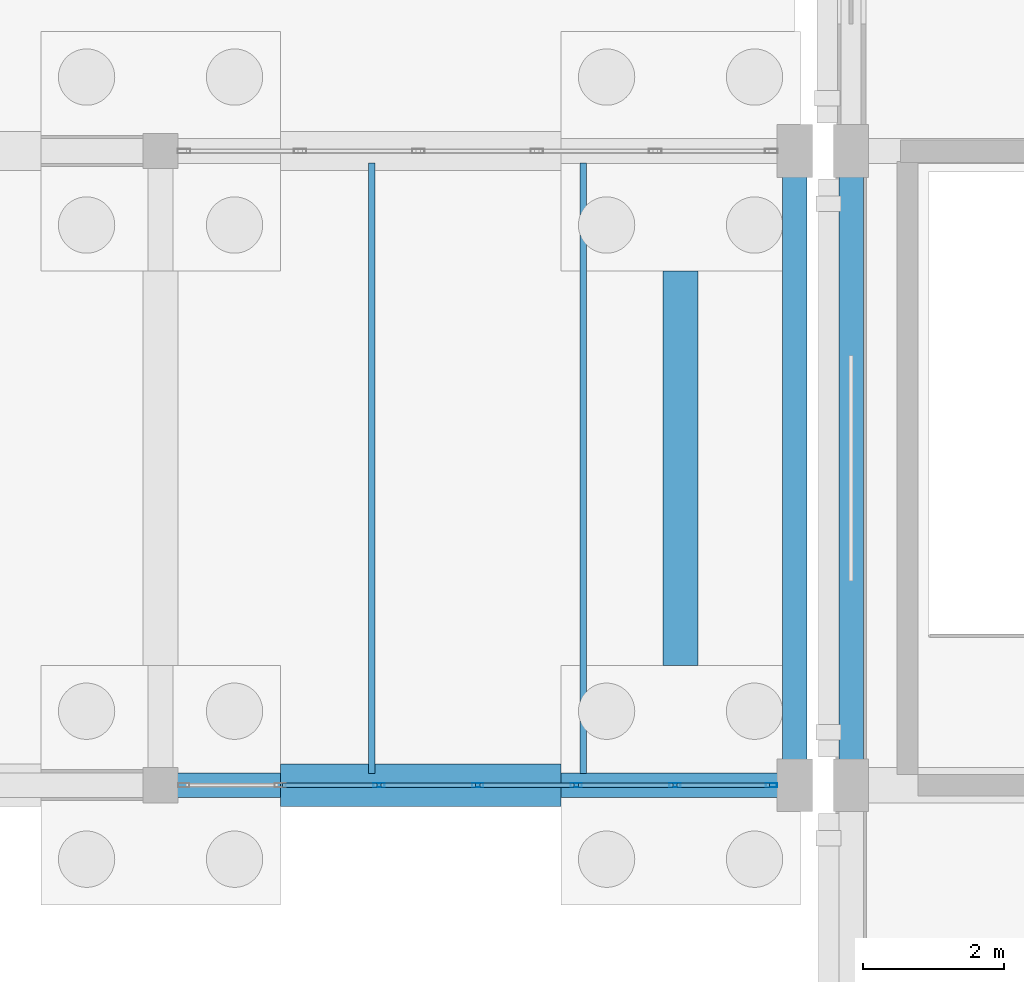
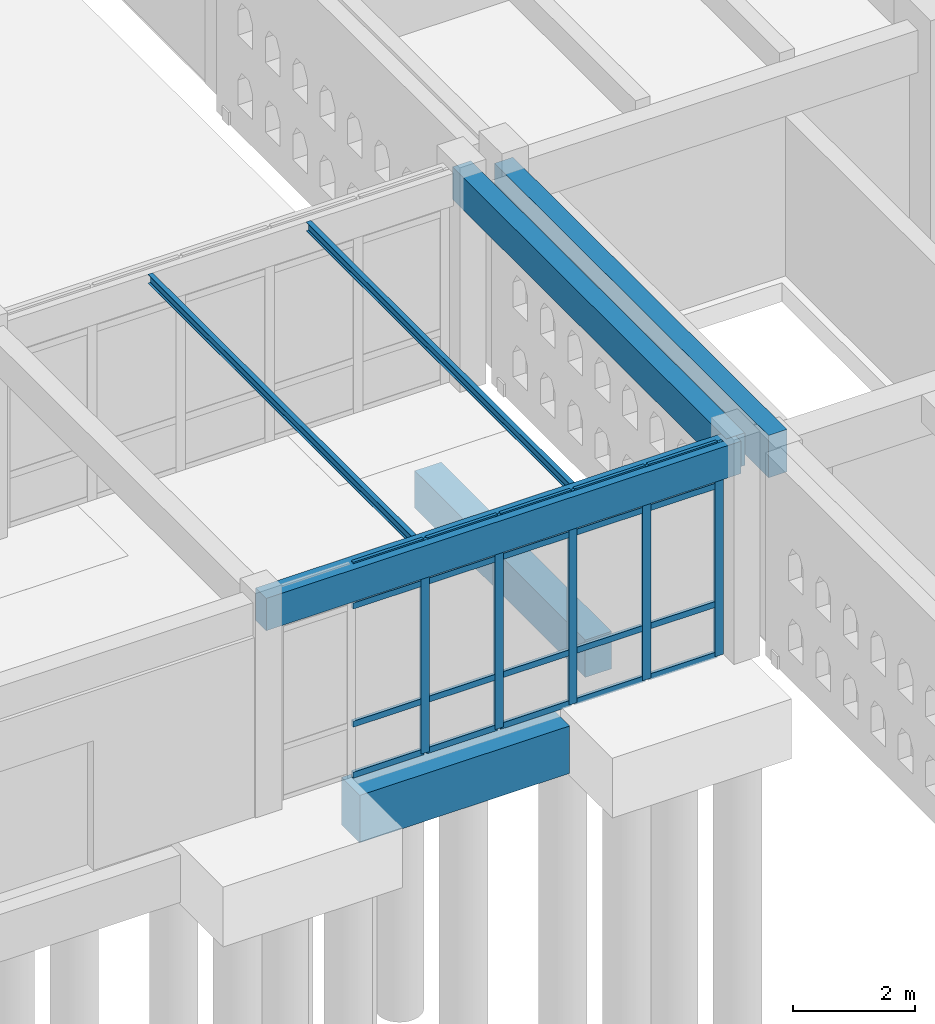
# One storey, part 33 of 186: 25 members, 7 beams, 1 element without a shape of its own.
"""IFC4 building model written with IfcOpenShell, lengths in metres."""

from ifc_helpers import new_model, si_unit, direction, frame, origin, origin_2d, place, context, subcontext, project, spatial, rectangle, hollow_rectangle, i_section, extrude, material, layer, layer_set, material_profile, profile_set, type_object, element, aggregate, save


model = new_model("IFC4")

# Units and contexts
model_context = context("Model", 3, precision=1e-05, world=origin(), true_north=direction((0.0, 1.0)))
body_context = subcontext(model_context, "Body", "Model", "MODEL_VIEW")
ifc_project = project(units=[si_unit("LENGTHUNIT", "METRE"), si_unit("AREAUNIT", "SQUARE_METRE"), si_unit("VOLUMEUNIT", "CUBIC_METRE"), si_unit("PLANEANGLEUNIT", "RADIAN"), si_unit("MASSUNIT", "GRAM", prefix="KILO")], contexts=[model_context])

# Site, building, storey
site_placement = place(None, origin())
site = spatial("IfcSite", under=ifc_project, at=site_placement, CompositionType="ELEMENT")
building_placement = place(site_placement, origin())
building = spatial("IfcBuilding", under=site, at=building_placement, Name="Ornek Quay Market", CompositionType="ELEMENT")
storey_placement = place(building_placement, origin())
storey = spatial("IfcBuildingStorey", under=building, at=storey_placement, Name="L00", CompositionType="ELEMENT", Elevation=0.0)

# Beams
ifc_material_1 = material(Name="Concrete C35/45", Category="concrete")
ifc_material_profile_1 = material_profile(ifc_material_1, rectangle(XDim=0.35009765625, YDim=0.64990234375, at=origin_2d()), Name="RC 350x650", Category="concrete")
ifc_profile_set_1 = profile_set([ifc_material_profile_1], Name="Concrete C35/45")
beam_type_1 = type_object("IfcBeamType", Name="BM-CONC-350x650", PredefinedType="BEAM", material=ifc_profile_set_1)
for number, where, z_axis, x_axis, name in (
    (1, (45.0, 20.0, 3.945068359375), (1.0, 0.0, 0.0), (0.0, 1.0, 0.0), "Primary beam B-CN1-066"),
    (2, (54.0, 20.0, 3.945068359375), (0.0, 1.0, 0.0), (-1.0, 0.0, 0.0), "Primary beam B-CN1-072"),
):
    element("IfcBeam", number, at=place(storey_placement, frame(where, z_axis=z_axis, x_axis=x_axis)), inside=storey, type_object=beam_type_1, Name=name, PredefinedType="BEAM", context=body_context, shape_type="SweptSolid", body=[
        extrude(rectangle(XDim=0.35009765625, YDim=0.64990234375, at=origin_2d()), origin(), (0.0, 0.0, 1.0), 9.0),
    ])
ifc_material_profile_2 = material_profile(ifc_material_1, rectangle(XDim=0.5, YDim=0.75, at=origin_2d()), Name="RC 500x750", Category="concrete")
ifc_profile_set_2 = profile_set([ifc_material_profile_2], Name="Concrete C35/45")
beam_type_2 = type_object("IfcBeamType", Name="BM-GB-500x750", PredefinedType="BEAM", material=ifc_profile_set_2)
beam_1_placement = place(storey_placement, frame((52.3798828125, 21.699951171875, -0.574951171875), z_axis=(0.0, 1.0, 0.0), x_axis=(-1.0, 0.0, 0.0)))
element("IfcBeam", 3, at=beam_1_placement, inside=storey, type_object=beam_type_2, Name="Ground tie beam GB-110", PredefinedType="BEAM", context=body_context, shape_type="SweptSolid", body=[
    extrude(rectangle(XDim=0.5, YDim=0.75, at=origin_2d()), origin(), (0.0, 0.0, 1.0), 5.60009765625),
])
ifc_material_profile_3 = material_profile(ifc_material_1, rectangle(XDim=0.60009765625, YDim=0.949951171875, at=origin_2d()), Name="RC 600x950", Category="concrete")
ifc_profile_set_3 = profile_set([ifc_material_profile_3], Name="Concrete C35/45")
beam_type_3 = type_object("IfcBeamType", Name="BM-GB-600x950", PredefinedType="BEAM", material=ifc_profile_set_3)
beam_2_placement = place(storey_placement, frame((46.699951171875, 20.0, -0.675048828125), z_axis=(1.0, 0.0, 0.0), x_axis=(0.0, 1.0, 0.0)))
element("IfcBeam", 4, at=beam_2_placement, inside=storey, type_object=beam_type_3, Name="Ground tie beam GB-004", PredefinedType="BEAM", context=body_context, shape_type="SweptSolid", body=[
    extrude(rectangle(XDim=0.60009765625, YDim=0.949951171875, at=origin_2d()), origin(), (0.0, 0.0, 1.0), 3.97998046875),
])
ifc_material_2 = material(Name="Concrete C40/50", Category="concrete")
ifc_material_profile_4 = material_profile(ifc_material_2, rectangle(XDim=0.35009765625, YDim=0.85009765625, at=origin_2d()), Name="RC 350x850", Category="concrete")
ifc_profile_set_4 = profile_set([ifc_material_profile_4], Name="Concrete C40/50")
beam_type_4 = type_object("IfcBeamType", Name="BM-SPN-350x850", PredefinedType="SPANDREL", material=ifc_profile_set_4)
beam_3_placement = place(storey_placement, frame((54.800048828125, 20.0, 3.635009765625), z_axis=(0.0, 1.0, 0.0), x_axis=(-1.0, 0.0, 0.0)))
element("IfcBeam", 5, at=beam_3_placement, inside=storey, type_object=beam_type_4, Name="Primary beam B-SP1-087", PredefinedType="SPANDREL", context=body_context, shape_type="SweptSolid", body=[
    extrude(rectangle(XDim=0.35009765625, YDim=0.85009765625, at=origin_2d()), origin(), (0.0, 0.0, 1.0), 9.0),
])
ifc_material_3 = material(Name="Steel S355", Category="steel")
ifc_material_profile_5 = material_profile(ifc_material_3, i_section(OverallWidth=0.091064453125, OverallDepth=0.179931640625, WebThickness=0.00537109375, FlangeThickness=0.008056640625, FilletRadius=0.009033203125, at=origin_2d()), Name="IPE 180", Category="steel")
ifc_profile_set_5 = profile_set([ifc_material_profile_5], Name="Steel S355")
beam_type_5 = type_object("IfcBeamType", Name="BM-STL-IPE180", PredefinedType="JOIST", material=ifc_profile_set_5)
for number, where, z_axis, x_axis, name in (
    (6, (48.0, 20.1669921875, 4.179931640625), (0.0, 1.0, 0.0), (-1.0, 0.0, 0.0), "Secondary joist SB-01-007"),
    (7, (51.0, 20.1669921875, 4.179931640625), (0.0, 1.0, 0.0), (-1.0, 0.0, 0.0), "Secondary joist SB-01-008"),
):
    element("IfcBeam", number, at=place(storey_placement, frame(where, z_axis=z_axis, x_axis=x_axis)), inside=storey, type_object=beam_type_5, Name=name, PredefinedType="JOIST", context=body_context, shape_type="SweptSolid", body=[
        extrude(i_section(OverallWidth=0.091064453125, OverallDepth=0.179931640625, WebThickness=0.00537109375, FlangeThickness=0.008056640625, FilletRadius=0.009033203125, at=origin_2d()), origin(), (0.0, 0.0, 1.0), 8.666015625),
    ])

# Curtain wall, members
ifc_material_4 = material(Name="Anodised bronze aluminium and triple low-e glass", Category="aluminium")
ifc_layer = layer(ifc_material_4, 0.179931640625, Name="Anodised bronze aluminium and triple low-e glass", Category="aluminium")
ifc_layer_set = layer_set([ifc_layer], Name="Anodised bronze aluminium and triple low-e glass")
curtain_wall_type = type_object("IfcCurtainWallType", Name="CW-CONC-MOD1500", PredefinedType="USERDEFINED", material=ifc_layer_set)
curtain_wall_placement = place(storey_placement, origin())
curtain_wall = element("IfcCurtainWall", 8, at=curtain_wall_placement, inside=storey, type_object=curtain_wall_type, Name="Curtain wall CW-012", ObjectType="CURTAIN WALL", PredefinedType="USERDEFINED")
ifc_material_5 = material(Name="Anodised aluminium 6063-T6", Category="aluminium")
ifc_material_profile_6 = material_profile(ifc_material_5, hollow_rectangle(XDim=0.06005859375, YDim=0.159912109375, WallThickness=0.00390625, at=origin_2d()), Name="CW-MUL-60x160", Category="aluminium")
ifc_profile_set_6 = profile_set([ifc_material_profile_6], Name="Anodised aluminium 6063-T6")
member_type_1 = type_object("IfcMemberType", Name="CW-MUL-60x160", PredefinedType="MULLION", material=ifc_profile_set_6)
member_1_placement = place(storey_placement, frame((48.10009765625, 20.0, 0.0), z_axis=(0.0, 0.0, 1.0), x_axis=(0.0, 1.0, 0.0)))
member_1 = element("IfcMember", 9, at=member_1_placement, type_object=member_type_1, Name="CW-012 mullion 3", PredefinedType="MULLION", context=body_context, shape_type="SweptSolid", body=[
    extrude(hollow_rectangle(XDim=0.06005859375, YDim=0.159912109375, WallThickness=0.00390625, at=origin_2d()), origin(), (0.0, 0.0, 1.0), 4.27001953125),
])
member_2_placement = place(storey_placement, frame((49.5, 20.0, 0.0), z_axis=(0.0, 0.0, 1.0), x_axis=(0.0, 1.0, 0.0)))
member_2 = element("IfcMember", 10, at=member_2_placement, type_object=member_type_1, Name="CW-012 mullion 4", PredefinedType="MULLION", context=body_context, shape_type="SweptSolid", body=[
    extrude(hollow_rectangle(XDim=0.06005859375, YDim=0.159912109375, WallThickness=0.00390625, at=origin_2d()), origin(), (0.0, 0.0, 1.0), 4.27001953125),
])
member_3_placement = place(storey_placement, frame((50.89990234375, 20.0, 0.0), z_axis=(0.0, 0.0, 1.0), x_axis=(0.0, 1.0, 0.0)))
member_3 = element("IfcMember", 11, at=member_3_placement, type_object=member_type_1, Name="CW-012 mullion 5", PredefinedType="MULLION", context=body_context, shape_type="SweptSolid", body=[
    extrude(hollow_rectangle(XDim=0.06005859375, YDim=0.159912109375, WallThickness=0.00390625, at=origin_2d()), origin(), (0.0, 0.0, 1.0), 4.27001953125),
])
member_4_placement = place(storey_placement, frame((52.300048828125, 20.0, 0.0), z_axis=(0.0, 0.0, 1.0), x_axis=(0.0, 1.0, 0.0)))
member_4 = element("IfcMember", 12, at=member_4_placement, type_object=member_type_1, Name="CW-012 mullion 6", PredefinedType="MULLION", context=body_context, shape_type="SweptSolid", body=[
    extrude(hollow_rectangle(XDim=0.06005859375, YDim=0.159912109375, WallThickness=0.00390625, at=origin_2d()), origin(), (0.0, 0.0, 1.0), 4.27001953125),
])
member_5_placement = place(storey_placement, frame((53.669921875, 20.0, 0.0), z_axis=(0.0, 0.0, 1.0), x_axis=(0.0, 1.0, 0.0)))
member_5 = element("IfcMember", 13, at=member_5_placement, type_object=member_type_1, Name="CW-012 mullion 7", PredefinedType="MULLION", context=body_context, shape_type="SweptSolid", body=[
    extrude(hollow_rectangle(XDim=0.06005859375, YDim=0.159912109375, WallThickness=0.00390625, at=origin_2d()), origin(), (0.0, 0.0, 1.0), 4.27001953125),
])
ifc_material_profile_7 = material_profile(ifc_material_5, hollow_rectangle(XDim=0.06005859375, YDim=0.1201171875, WallThickness=0.00390625, at=origin_2d()), Name="CW-TRN-60x120", Category="aluminium")
ifc_profile_set_7 = profile_set([ifc_material_profile_7], Name="Anodised aluminium 6063-T6")
member_type_2 = type_object("IfcMemberType", Name="CW-TRN-60x120", PredefinedType="USERDEFINED", material=ifc_profile_set_7)
member_6_placement = place(storey_placement, frame((46.72998046875, 20.0, 0.030029296875), z_axis=(1.0, 0.0, 0.0), x_axis=(0.0, 1.0, 0.0)))
member_6 = element("IfcMember", 14, at=member_6_placement, type_object=member_type_2, Name="CW-012 transom 2.1", ObjectType="TRANSOM", PredefinedType="USERDEFINED", context=body_context, shape_type="SweptSolid", body=[
    extrude(hollow_rectangle(XDim=0.06005859375, YDim=0.1201171875, WallThickness=0.00390625, at=origin_2d()), origin(), (0.0, 0.0, 1.0), 1.340087890625),
])
member_7_placement = place(storey_placement, frame((46.72998046875, 20.0, 1.050048828125), z_axis=(1.0, 0.0, 0.0), x_axis=(0.0, 1.0, 0.0)))
member_7 = element("IfcMember", 15, at=member_7_placement, type_object=member_type_2, Name="CW-012 transom 2.2", ObjectType="TRANSOM", PredefinedType="USERDEFINED", context=body_context, shape_type="SweptSolid", body=[
    extrude(hollow_rectangle(XDim=0.06005859375, YDim=0.1201171875, WallThickness=0.00390625, at=origin_2d()), origin(), (0.0, 0.0, 1.0), 1.340087890625),
])
member_8_placement = place(storey_placement, frame((46.72998046875, 20.0, 3.419921875), z_axis=(1.0, 0.0, 0.0), x_axis=(0.0, 1.0, 0.0)))
member_8 = element("IfcMember", 16, at=member_8_placement, type_object=member_type_2, Name="CW-012 transom 2.3", ObjectType="TRANSOM", PredefinedType="USERDEFINED", context=body_context, shape_type="SweptSolid", body=[
    extrude(hollow_rectangle(XDim=0.06005859375, YDim=0.1201171875, WallThickness=0.00390625, at=origin_2d()), origin(), (0.0, 0.0, 1.0), 1.340087890625),
])
member_9_placement = place(storey_placement, frame((46.72998046875, 20.0, 4.239990234375), z_axis=(1.0, 0.0, 0.0), x_axis=(0.0, 1.0, 0.0)))
member_9 = element("IfcMember", 17, at=member_9_placement, type_object=member_type_2, Name="CW-012 transom 2.4", ObjectType="TRANSOM", PredefinedType="USERDEFINED", context=body_context, shape_type="SweptSolid", body=[
    extrude(hollow_rectangle(XDim=0.06005859375, YDim=0.1201171875, WallThickness=0.00390625, at=origin_2d()), origin(), (0.0, 0.0, 1.0), 1.340087890625),
])
member_10_placement = place(storey_placement, frame((48.1298828125, 20.0, 0.030029296875), z_axis=(1.0, 0.0, 0.0), x_axis=(0.0, 1.0, 0.0)))
member_10 = element("IfcMember", 18, at=member_10_placement, type_object=member_type_2, Name="CW-012 transom 3.1", ObjectType="TRANSOM", PredefinedType="USERDEFINED", context=body_context, shape_type="SweptSolid", body=[
    extrude(hollow_rectangle(XDim=0.06005859375, YDim=0.1201171875, WallThickness=0.00390625, at=origin_2d()), origin(), (0.0, 0.0, 1.0), 1.340087890625),
])
member_11_placement = place(storey_placement, frame((48.1298828125, 20.0, 1.050048828125), z_axis=(1.0, 0.0, 0.0), x_axis=(0.0, 1.0, 0.0)))
member_11 = element("IfcMember", 19, at=member_11_placement, type_object=member_type_2, Name="CW-012 transom 3.2", ObjectType="TRANSOM", PredefinedType="USERDEFINED", context=body_context, shape_type="SweptSolid", body=[
    extrude(hollow_rectangle(XDim=0.06005859375, YDim=0.1201171875, WallThickness=0.00390625, at=origin_2d()), origin(), (0.0, 0.0, 1.0), 1.340087890625),
])
member_12_placement = place(storey_placement, frame((48.1298828125, 20.0, 3.419921875), z_axis=(1.0, 0.0, 0.0), x_axis=(0.0, 1.0, 0.0)))
member_12 = element("IfcMember", 20, at=member_12_placement, type_object=member_type_2, Name="CW-012 transom 3.3", ObjectType="TRANSOM", PredefinedType="USERDEFINED", context=body_context, shape_type="SweptSolid", body=[
    extrude(hollow_rectangle(XDim=0.06005859375, YDim=0.1201171875, WallThickness=0.00390625, at=origin_2d()), origin(), (0.0, 0.0, 1.0), 1.340087890625),
])
member_13_placement = place(storey_placement, frame((48.1298828125, 20.0, 4.239990234375), z_axis=(1.0, 0.0, 0.0), x_axis=(0.0, 1.0, 0.0)))
member_13 = element("IfcMember", 21, at=member_13_placement, type_object=member_type_2, Name="CW-012 transom 3.4", ObjectType="TRANSOM", PredefinedType="USERDEFINED", context=body_context, shape_type="SweptSolid", body=[
    extrude(hollow_rectangle(XDim=0.06005859375, YDim=0.1201171875, WallThickness=0.00390625, at=origin_2d()), origin(), (0.0, 0.0, 1.0), 1.340087890625),
])
member_14_placement = place(storey_placement, frame((49.530029296875, 20.0, 0.030029296875), z_axis=(1.0, 0.0, 0.0), x_axis=(0.0, 1.0, 0.0)))
member_14 = element("IfcMember", 22, at=member_14_placement, type_object=member_type_2, Name="CW-012 transom 4.1", ObjectType="TRANSOM", PredefinedType="USERDEFINED", context=body_context, shape_type="SweptSolid", body=[
    extrude(hollow_rectangle(XDim=0.06005859375, YDim=0.1201171875, WallThickness=0.00390625, at=origin_2d()), origin(), (0.0, 0.0, 1.0), 1.340087890625),
])
member_15_placement = place(storey_placement, frame((49.530029296875, 20.0, 1.050048828125), z_axis=(1.0, 0.0, 0.0), x_axis=(0.0, 1.0, 0.0)))
member_15 = element("IfcMember", 23, at=member_15_placement, type_object=member_type_2, Name="CW-012 transom 4.2", ObjectType="TRANSOM", PredefinedType="USERDEFINED", context=body_context, shape_type="SweptSolid", body=[
    extrude(hollow_rectangle(XDim=0.06005859375, YDim=0.1201171875, WallThickness=0.00390625, at=origin_2d()), origin(), (0.0, 0.0, 1.0), 1.340087890625),
])
member_16_placement = place(storey_placement, frame((49.530029296875, 20.0, 3.419921875), z_axis=(1.0, 0.0, 0.0), x_axis=(0.0, 1.0, 0.0)))
member_16 = element("IfcMember", 24, at=member_16_placement, type_object=member_type_2, Name="CW-012 transom 4.3", ObjectType="TRANSOM", PredefinedType="USERDEFINED", context=body_context, shape_type="SweptSolid", body=[
    extrude(hollow_rectangle(XDim=0.06005859375, YDim=0.1201171875, WallThickness=0.00390625, at=origin_2d()), origin(), (0.0, 0.0, 1.0), 1.340087890625),
])
member_17_placement = place(storey_placement, frame((49.530029296875, 20.0, 4.239990234375), z_axis=(1.0, 0.0, 0.0), x_axis=(0.0, 1.0, 0.0)))
member_17 = element("IfcMember", 25, at=member_17_placement, type_object=member_type_2, Name="CW-012 transom 4.4", ObjectType="TRANSOM", PredefinedType="USERDEFINED", context=body_context, shape_type="SweptSolid", body=[
    extrude(hollow_rectangle(XDim=0.06005859375, YDim=0.1201171875, WallThickness=0.00390625, at=origin_2d()), origin(), (0.0, 0.0, 1.0), 1.340087890625),
])
member_18_placement = place(storey_placement, frame((50.929931640625, 20.0, 0.030029296875), z_axis=(1.0, 0.0, 0.0), x_axis=(0.0, 1.0, 0.0)))
member_18 = element("IfcMember", 26, at=member_18_placement, type_object=member_type_2, Name="CW-012 transom 5.1", ObjectType="TRANSOM", PredefinedType="USERDEFINED", context=body_context, shape_type="SweptSolid", body=[
    extrude(hollow_rectangle(XDim=0.06005859375, YDim=0.1201171875, WallThickness=0.00390625, at=origin_2d()), origin(), (0.0, 0.0, 1.0), 1.340087890625),
])
member_19_placement = place(storey_placement, frame((50.929931640625, 20.0, 1.050048828125), z_axis=(1.0, 0.0, 0.0), x_axis=(0.0, 1.0, 0.0)))
member_19 = element("IfcMember", 27, at=member_19_placement, type_object=member_type_2, Name="CW-012 transom 5.2", ObjectType="TRANSOM", PredefinedType="USERDEFINED", context=body_context, shape_type="SweptSolid", body=[
    extrude(hollow_rectangle(XDim=0.06005859375, YDim=0.1201171875, WallThickness=0.00390625, at=origin_2d()), origin(), (0.0, 0.0, 1.0), 1.340087890625),
])
member_20_placement = place(storey_placement, frame((50.929931640625, 20.0, 3.419921875), z_axis=(1.0, 0.0, 0.0), x_axis=(0.0, 1.0, 0.0)))
member_20 = element("IfcMember", 28, at=member_20_placement, type_object=member_type_2, Name="CW-012 transom 5.3", ObjectType="TRANSOM", PredefinedType="USERDEFINED", context=body_context, shape_type="SweptSolid", body=[
    extrude(hollow_rectangle(XDim=0.06005859375, YDim=0.1201171875, WallThickness=0.00390625, at=origin_2d()), origin(), (0.0, 0.0, 1.0), 1.340087890625),
])
member_21_placement = place(storey_placement, frame((50.929931640625, 20.0, 4.239990234375), z_axis=(1.0, 0.0, 0.0), x_axis=(0.0, 1.0, 0.0)))
member_21 = element("IfcMember", 29, at=member_21_placement, type_object=member_type_2, Name="CW-012 transom 5.4", ObjectType="TRANSOM", PredefinedType="USERDEFINED", context=body_context, shape_type="SweptSolid", body=[
    extrude(hollow_rectangle(XDim=0.06005859375, YDim=0.1201171875, WallThickness=0.00390625, at=origin_2d()), origin(), (0.0, 0.0, 1.0), 1.340087890625),
])
member_22_placement = place(storey_placement, frame((52.330078125, 20.0, 0.030029296875), z_axis=(1.0, 0.0, 0.0), x_axis=(0.0, 1.0, 0.0)))
member_22 = element("IfcMember", 30, at=member_22_placement, type_object=member_type_2, Name="CW-012 transom 6.1", ObjectType="TRANSOM", PredefinedType="USERDEFINED", context=body_context, shape_type="SweptSolid", body=[
    extrude(hollow_rectangle(XDim=0.06005859375, YDim=0.1201171875, WallThickness=0.00390625, at=origin_2d()), origin(), (0.0, 0.0, 1.0), 1.309814453125),
])
member_23_placement = place(storey_placement, frame((52.330078125, 20.0, 1.050048828125), z_axis=(1.0, 0.0, 0.0), x_axis=(0.0, 1.0, 0.0)))
member_23 = element("IfcMember", 31, at=member_23_placement, type_object=member_type_2, Name="CW-012 transom 6.2", ObjectType="TRANSOM", PredefinedType="USERDEFINED", context=body_context, shape_type="SweptSolid", body=[
    extrude(hollow_rectangle(XDim=0.06005859375, YDim=0.1201171875, WallThickness=0.00390625, at=origin_2d()), origin(), (0.0, 0.0, 1.0), 1.309814453125),
])
member_24_placement = place(storey_placement, frame((52.330078125, 20.0, 3.419921875), z_axis=(1.0, 0.0, 0.0), x_axis=(0.0, 1.0, 0.0)))
member_24 = element("IfcMember", 32, at=member_24_placement, type_object=member_type_2, Name="CW-012 transom 6.3", ObjectType="TRANSOM", PredefinedType="USERDEFINED", context=body_context, shape_type="SweptSolid", body=[
    extrude(hollow_rectangle(XDim=0.06005859375, YDim=0.1201171875, WallThickness=0.00390625, at=origin_2d()), origin(), (0.0, 0.0, 1.0), 1.309814453125),
])
member_25_placement = place(storey_placement, frame((52.330078125, 20.0, 4.239990234375), z_axis=(1.0, 0.0, 0.0), x_axis=(0.0, 1.0, 0.0)))
member_25 = element("IfcMember", 33, at=member_25_placement, type_object=member_type_2, Name="CW-012 transom 6.4", ObjectType="TRANSOM", PredefinedType="USERDEFINED", context=body_context, shape_type="SweptSolid", body=[
    extrude(hollow_rectangle(XDim=0.06005859375, YDim=0.1201171875, WallThickness=0.00390625, at=origin_2d()), origin(), (0.0, 0.0, 1.0), 1.309814453125),
])
aggregate(curtain_wall, [member_1, member_2, member_3, member_4, member_5, member_6, member_7, member_8, member_9, member_10, member_11, member_12, member_13, member_14, member_15, member_16, member_17, member_18, member_19, member_20, member_21, member_22, member_23, member_24, member_25])

save(model, "model.ifc")
